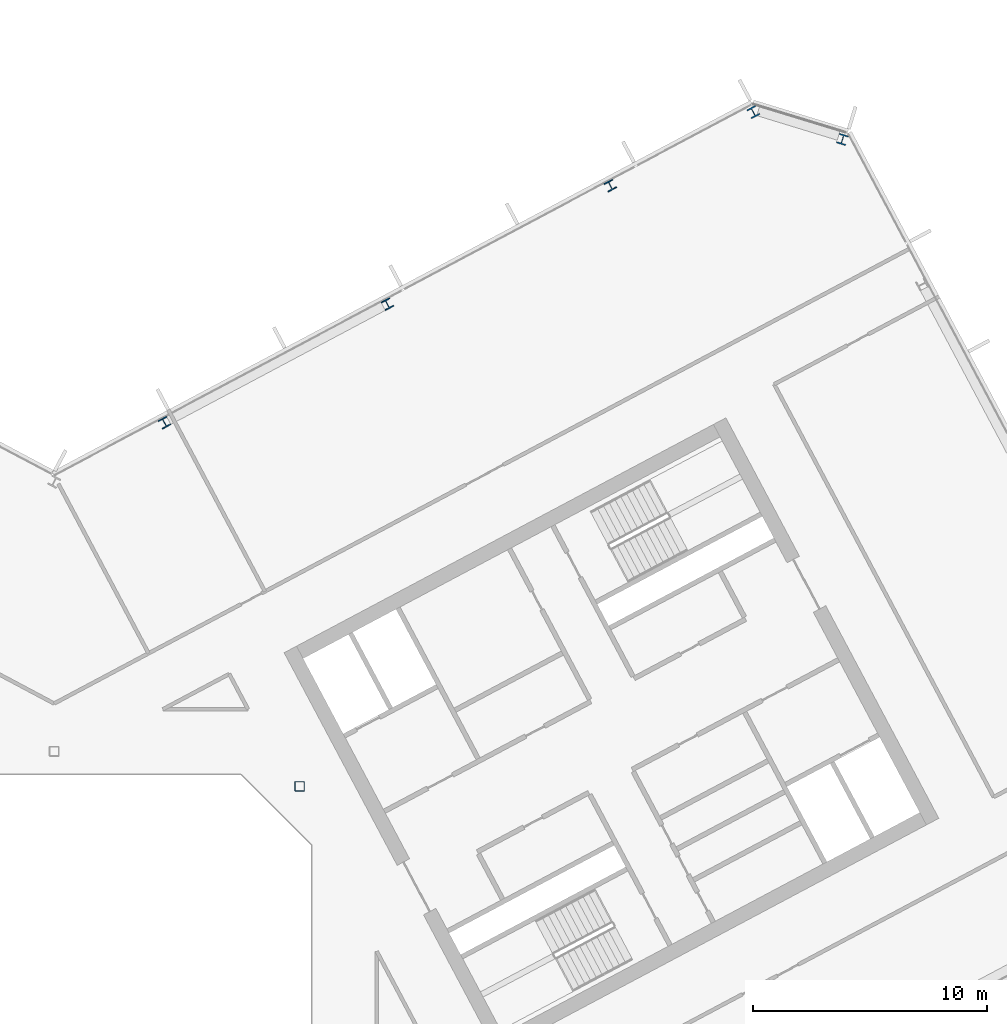
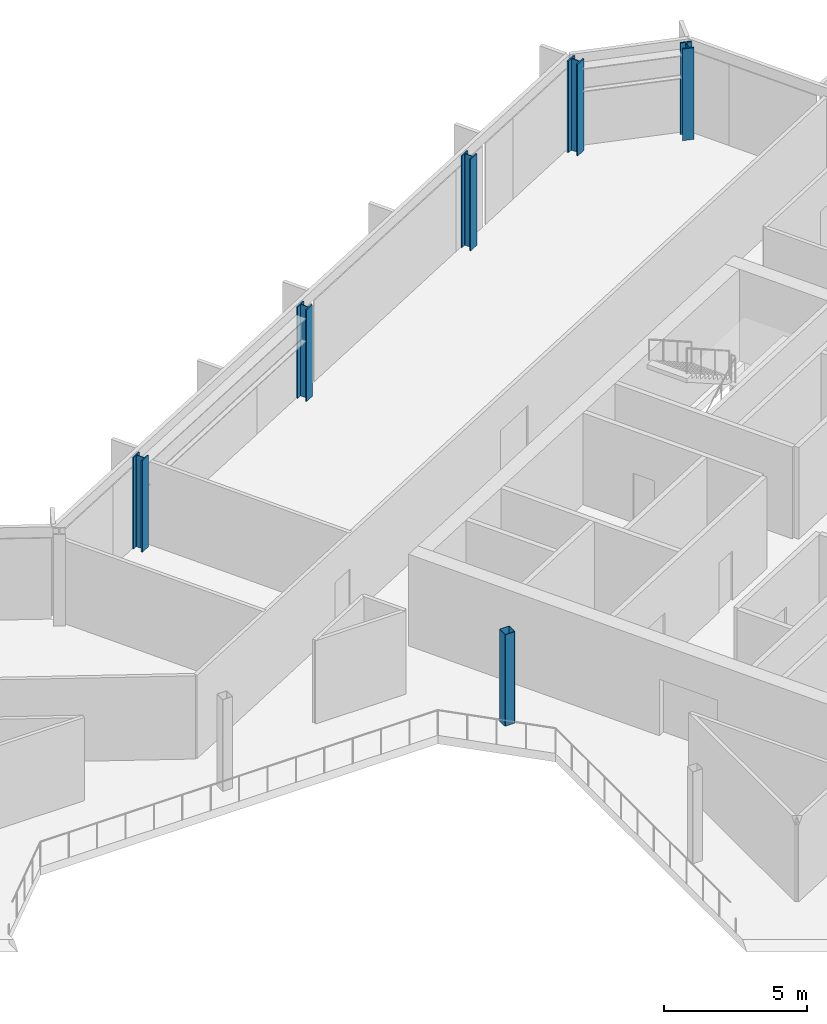
# One storey, part 6 of 27: 6 columns.
"""IFC4 building model written with IfcOpenShell, lengths in metres."""

from ifc_helpers import new_model, si_unit, direction, frame, origin, origin_2d, place, context, subcontext, project, spatial, hollow_rectangle, i_section, extrude, material, material_profile, profile_set, type_object, element, save


model = new_model("IFC4")

# Units and contexts
model_context = context("Model", 3, precision=1e-05, world=origin(), true_north=direction((0.0, 1.0)))
body_context = subcontext(model_context, "Body", "Model", "MODEL_VIEW")
ifc_project = project(units=[si_unit("LENGTHUNIT", "METRE"), si_unit("AREAUNIT", "SQUARE_METRE"), si_unit("VOLUMEUNIT", "CUBIC_METRE"), si_unit("PLANEANGLEUNIT", "RADIAN"), si_unit("MASSUNIT", "GRAM", prefix="KILO")], contexts=[model_context])

# Site, building, storey
site_placement = place(None, origin())
site = spatial("IfcSite", under=ifc_project, at=site_placement, CompositionType="ELEMENT")
building_placement = place(site_placement, origin())
building = spatial("IfcBuilding", under=site, at=building_placement, Name="Cormorant Relay Tower", CompositionType="ELEMENT")
storey_placement = place(building_placement, frame((0.0, 0.0, 209.10009765625)))
storey = spatial("IfcBuildingStorey", under=building, at=storey_placement, Name="L45", CompositionType="ELEMENT", Elevation=209.10009765625)

# Columns
ifc_material_1 = material(Name="Steel ASTM A500 Grade C (Fy 345 MPa)", Category="steel")
ifc_material_profile_1 = material_profile(ifc_material_1, hollow_rectangle(XDim=0.406494140625, YDim=0.406494140625, WallThickness=0.0146484375, InnerFilletRadius=0.00732421875, OuterFilletRadius=0.022216796875, at=origin_2d()), Name="HSS406x406x15")
ifc_profile_set_1 = profile_set([ifc_material_profile_1], Name="Steel ASTM A500 Grade C (Fy 345 MPa)")
column_type_1 = type_object("IfcColumnType", Name="Column HSS406x406x15", PredefinedType="COLUMN", material=ifc_profile_set_1)
column_placement = place(storey_placement, frame((10.5, 10.5, 0.0), z_axis=(0.0, 0.0, 1.0), x_axis=(1.0, 0.0, 0.0)))
element("IfcColumn", 1, at=column_placement, inside=storey, type_object=column_type_1, Name="Column L45-024", PredefinedType="COLUMN", context=body_context, shape_type="SweptSolid", body=[
    extrude(hollow_rectangle(XDim=0.406494140625, YDim=0.406494140625, WallThickness=0.0146484375, InnerFilletRadius=0.00732421875, OuterFilletRadius=0.022216796875, at=origin_2d()), origin(), (0.0, 0.0, 1.0), 3.89990234375),
])
ifc_material_2 = material(Name="Steel ASTM A992 (Fy 345 MPa)", Category="steel")
ifc_material_profile_2 = material_profile(ifc_material_2, i_section(OverallWidth=0.40380859375, OverallDepth=0.406494140625, WebThickness=0.027099609375, FlangeThickness=0.043701171875, FilletRadius=0.01513671875, at=origin_2d()), Name="W360x347")
ifc_profile_set_2 = profile_set([ifc_material_profile_2], Name="Steel ASTM A992 (Fy 345 MPa)")
column_type_2 = type_object("IfcColumnType", Name="Column W360x347", PredefinedType="COLUMN", material=ifc_profile_set_2)
for number, where, z_axis, x_axis, name in (
    (2, (4.719970703125, 26.055908203125, 0.0), (0.0, 0.0, 1.0), (-0.882947592859, -0.469471562786, 0.0), "Column L45-032"),
    (3, (14.256103515625, 31.1259765625, 0.0), (0.0, 0.0, 1.0), (-0.882947592859, -0.469471562786, 0.0), "Column L45-035"),
    (4, (23.7919921875, 36.196044921875, 0.0), (0.0, 0.0, 1.0), (-0.882947592859, -0.469471562786, 0.0), "Column L45-039"),
):
    element("IfcColumn", number, at=place(storey_placement, frame(where, z_axis=z_axis, x_axis=x_axis)), inside=storey, type_object=column_type_2, Name=name, PredefinedType="COLUMN", context=body_context, shape_type="SweptSolid", body=[
        extrude(i_section(OverallWidth=0.40380859375, OverallDepth=0.406494140625, WebThickness=0.027099609375, FlangeThickness=0.043701171875, FilletRadius=0.01513671875, at=origin_2d()), origin(), (0.0, 0.0, 1.0), 3.89990234375),
    ])
ifc_material_3 = material(Name="Steel ASTM A992 (Fy 345 MPa)", Category="steel")
ifc_material_profile_3 = material_profile(ifc_material_3, i_section(OverallWidth=0.41162109375, OverallDepth=0.434326171875, WebThickness=0.035888671875, FlangeThickness=0.057373046875, FilletRadius=0.01513671875, at=origin_2d()), Name="W360x463")
ifc_profile_set_3 = profile_set([ifc_material_profile_3], Name="Steel ASTM A992 (Fy 345 MPa)")
column_type_3 = type_object("IfcColumnType", Name="Column W360x463", PredefinedType="COLUMN", material=ifc_profile_set_3)
for number, where, z_axis, x_axis, name in (
    (5, (33.720947265625, 38.173095703125, 0.0), (0.0, 0.0, 1.0), (-0.956304755963, 0.292371704723, 0.0), "Column L45-041"),
    (6, (29.905029296875, 39.340087890625, 0.0), (0.0, 0.0, 1.0), (-0.882947592859, -0.469471562786, 0.0), "Column L45-043"),
):
    element("IfcColumn", number, at=place(storey_placement, frame(where, z_axis=z_axis, x_axis=x_axis)), inside=storey, type_object=column_type_3, Name=name, PredefinedType="COLUMN", context=body_context, shape_type="SweptSolid", body=[
        extrude(i_section(OverallWidth=0.41162109375, OverallDepth=0.434326171875, WebThickness=0.035888671875, FlangeThickness=0.057373046875, FilletRadius=0.01513671875, at=origin_2d()), origin(), (0.0, 0.0, 1.0), 3.89990234375),
    ])

save(model, "model.ifc")
